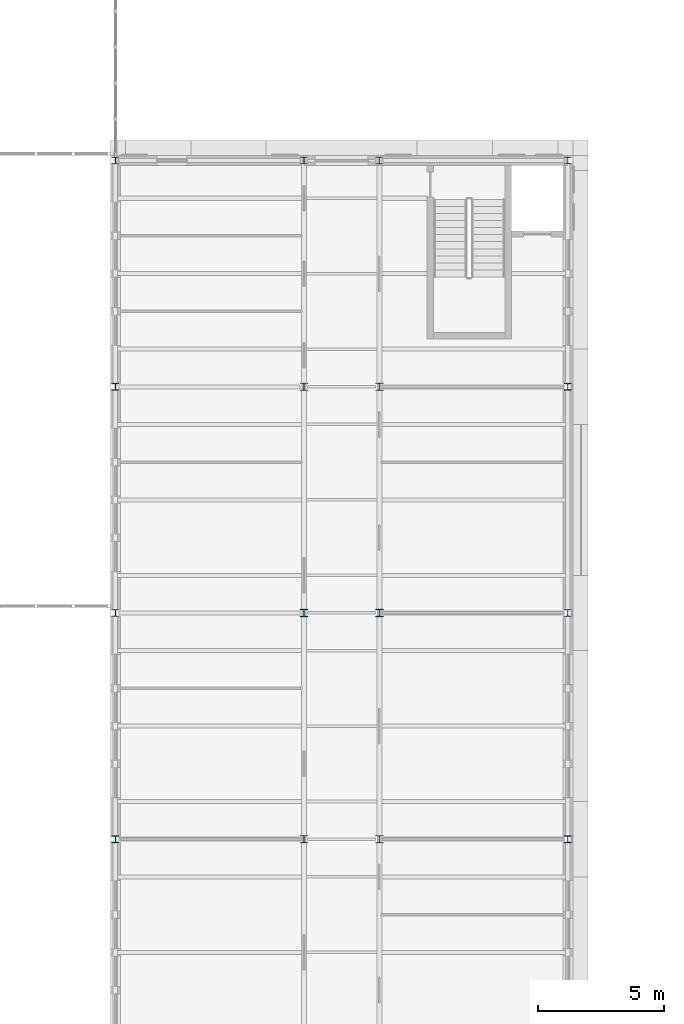
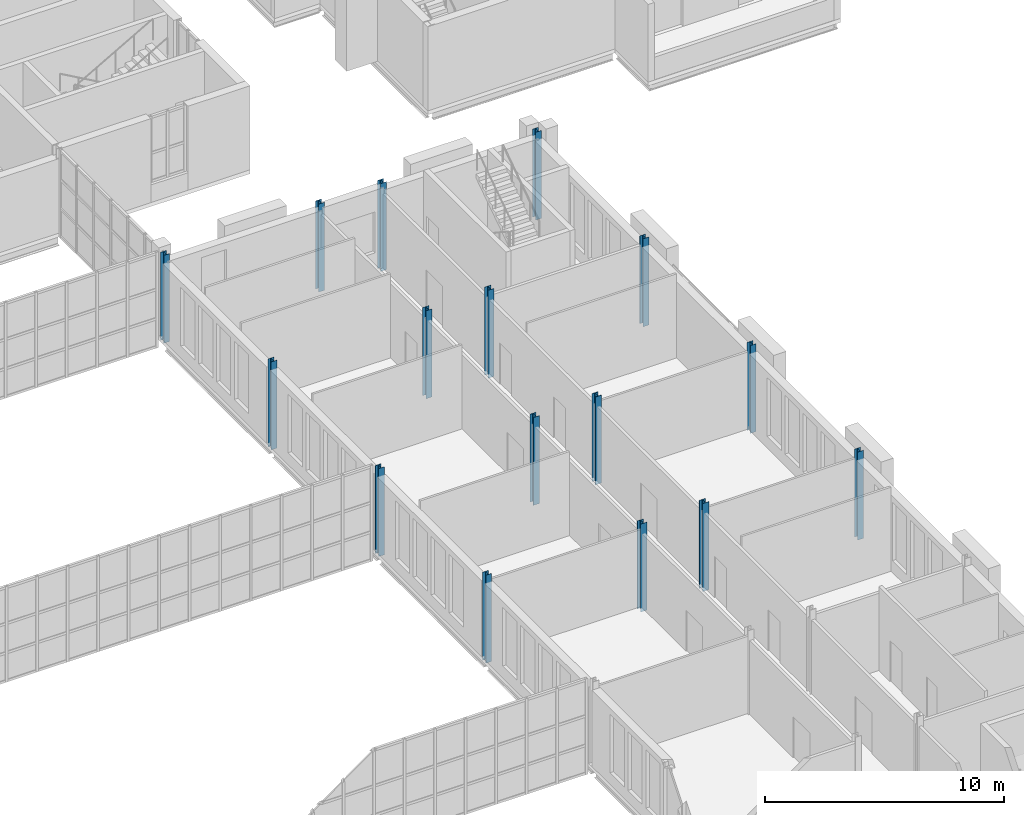
# One storey, part 8 of 134: 16 columns.
"""IFC4 building model written with IfcOpenShell, lengths in metres."""

from ifc_helpers import new_model, si_unit, direction, frame, origin, origin_2d, place, context, subcontext, project, spatial, i_section, extrude, material, material_profile, profile_set, type_object, element, save


model = new_model("IFC4")

# Units and contexts
model_context = context("Model", 3, precision=1e-05, world=origin(), true_north=direction((0.0, 1.0)))
body_context = subcontext(model_context, "Body", "Model", "MODEL_VIEW")
ifc_project = project(units=[si_unit("LENGTHUNIT", "METRE"), si_unit("AREAUNIT", "SQUARE_METRE"), si_unit("VOLUMEUNIT", "CUBIC_METRE"), si_unit("PLANEANGLEUNIT", "RADIAN"), si_unit("MASSUNIT", "GRAM", prefix="KILO")], contexts=[model_context])

# Site, building, storey
site_placement = place(None, origin())
site = spatial("IfcSite", under=ifc_project, at=site_placement, CompositionType="ELEMENT")
building_placement = place(site_placement, origin())
building = spatial("IfcBuilding", under=site, at=building_placement, Name="Golden Quay Civic Hall", CompositionType="ELEMENT")
storey_placement = place(building_placement, frame((0.0, 0.0, 5.39990234375)))
storey = spatial("IfcBuildingStorey", under=building, at=storey_placement, Name="L01", CompositionType="ELEMENT", Elevation=5.39990234375)

# Columns
ifc_material_1 = material(Name="Steel S355", Category="steel")
ifc_material_profile_1 = material_profile(ifc_material_1, i_section(OverallWidth=0.280029296875, OverallDepth=0.27001953125, WebThickness=0.008056640625, FlangeThickness=0.012939453125, FilletRadius=0.02392578125, at=origin_2d()), Name="HEA 280")
ifc_profile_set_1 = profile_set([ifc_material_profile_1], Name="Steel S355")
column_type_1 = type_object("IfcColumnType", Name="Steel column HEA 280", PredefinedType="COLUMN", material=ifc_profile_set_1)
for number, where, z_axis, x_axis, name in (
    (1, (99.0, 27.0, -0.199951171875), (0.0, 0.0, 1.0), (1.0, 0.0, 0.0), "Column 99/27 L01"),
    (2, (99.0, 36.0, -0.199951171875), (0.0, 0.0, 1.0), (1.0, 0.0, 0.0), "Column 99/36 L01"),
    (3, (99.0, 45.0, -0.199951171875), (0.0, 0.0, 1.0), (1.0, 0.0, 0.0), "Column 99/45 L01"),
    (4, (99.0, 54.0, -0.199951171875), (0.0, 0.0, 1.0), (1.0, 0.0, 0.0), "Column 99/54 L01"),
    (5, (106.5, 54.0, -0.199951171875), (0.0, 0.0, 1.0), (1.0, 0.0, 0.0), "Column 106.5/54 L01"),
    (6, (109.5, 54.0, -0.199951171875), (0.0, 0.0, 1.0), (1.0, 0.0, 0.0), "Column 109.5/54 L01"),
    (7, (117.0, 27.0, -0.199951171875), (0.0, 0.0, 1.0), (1.0, 0.0, 0.0), "Column 117/27 L01"),
    (8, (117.0, 36.0, -0.199951171875), (0.0, 0.0, 1.0), (1.0, 0.0, 0.0), "Column 117/36 L01"),
    (9, (117.0, 45.0, -0.199951171875), (0.0, 0.0, 1.0), (1.0, 0.0, 0.0), "Column 117/45 L01"),
    (10, (117.0, 54.0, -0.199951171875), (0.0, 0.0, 1.0), (1.0, 0.0, 0.0), "Column 117/54 L01"),
):
    element("IfcColumn", number, at=place(storey_placement, frame(where, z_axis=z_axis, x_axis=x_axis)), inside=storey, type_object=column_type_1, Name=name, PredefinedType="COLUMN", context=body_context, shape_type="SweptSolid", body=[
        extrude(i_section(OverallWidth=0.280029296875, OverallDepth=0.27001953125, WebThickness=0.008056640625, FlangeThickness=0.012939453125, FilletRadius=0.02392578125, at=origin_2d()), origin(), (0.0, 0.0, 1.0), 4.5),
    ])
ifc_material_2 = material(Name="Steel S355", Category="steel")
ifc_material_profile_2 = material_profile(ifc_material_2, i_section(OverallWidth=0.300048828125, OverallDepth=0.2900390625, WebThickness=0.008544921875, FlangeThickness=0.013916015625, FilletRadius=0.027099609375, at=origin_2d()), Name="HEA 300")
ifc_profile_set_2 = profile_set([ifc_material_profile_2], Name="Steel S355")
column_type_2 = type_object("IfcColumnType", Name="Steel column HEA 300", PredefinedType="COLUMN", material=ifc_profile_set_2)
for number, where, z_axis, x_axis, name in (
    (11, (106.5, 27.0, -0.199951171875), (0.0, 0.0, 1.0), (1.0, 0.0, 0.0), "Column 106.5/27 L01"),
    (12, (106.5, 36.0, -0.199951171875), (0.0, 0.0, 1.0), (1.0, 0.0, 0.0), "Column 106.5/36 L01"),
    (13, (106.5, 45.0, -0.199951171875), (0.0, 0.0, 1.0), (1.0, 0.0, 0.0), "Column 106.5/45 L01"),
    (14, (109.5, 27.0, -0.199951171875), (0.0, 0.0, 1.0), (1.0, 0.0, 0.0), "Column 109.5/27 L01"),
    (15, (109.5, 36.0, -0.199951171875), (0.0, 0.0, 1.0), (1.0, 0.0, 0.0), "Column 109.5/36 L01"),
    (16, (109.5, 45.0, -0.199951171875), (0.0, 0.0, 1.0), (1.0, 0.0, 0.0), "Column 109.5/45 L01"),
):
    element("IfcColumn", number, at=place(storey_placement, frame(where, z_axis=z_axis, x_axis=x_axis)), inside=storey, type_object=column_type_2, Name=name, PredefinedType="COLUMN", context=body_context, shape_type="SweptSolid", body=[
        extrude(i_section(OverallWidth=0.300048828125, OverallDepth=0.2900390625, WebThickness=0.008544921875, FlangeThickness=0.013916015625, FilletRadius=0.027099609375, at=origin_2d()), origin(), (0.0, 0.0, 1.0), 4.5),
    ])

save(model, "model.ifc")
